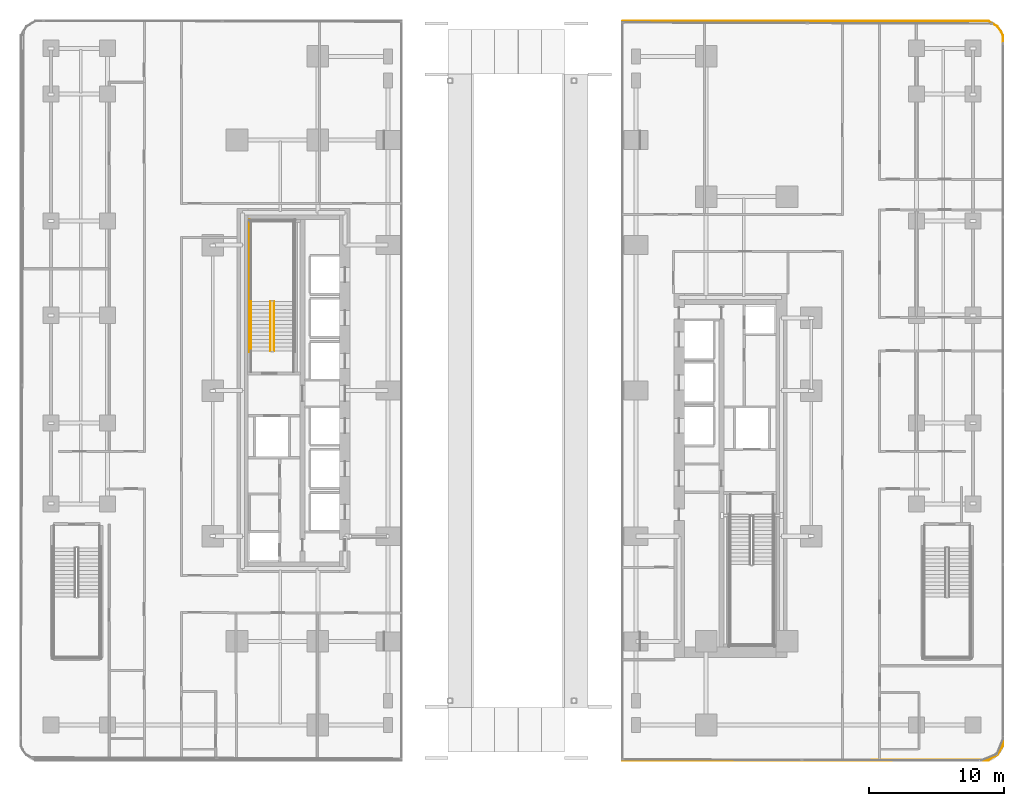
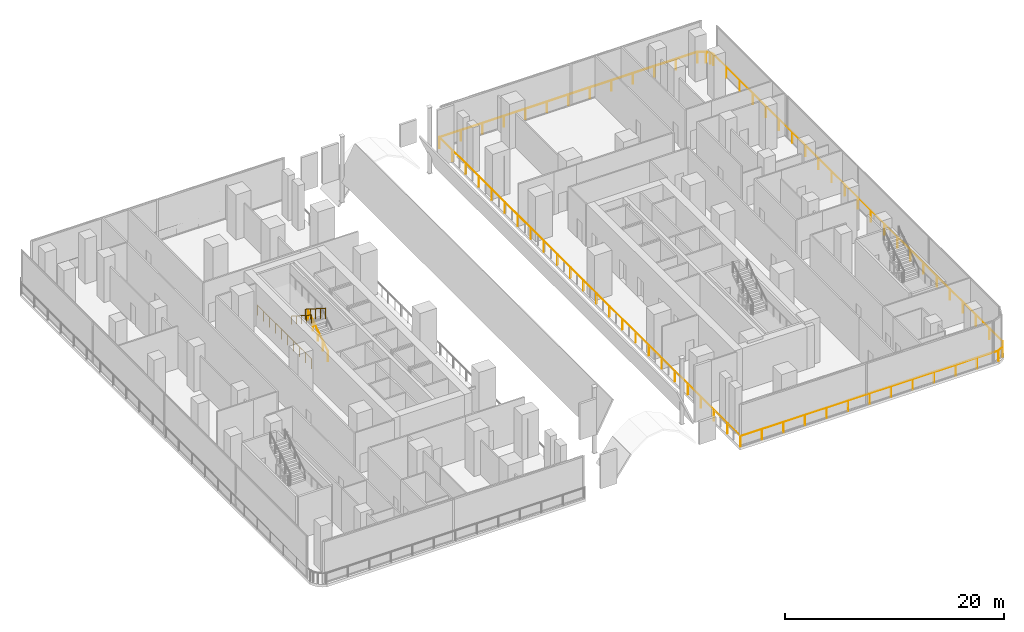
# One storey, part 28 of 31: 6 railings.
"""IFC4 building model written with IfcOpenShell, lengths in metres."""

from ifc_helpers import new_model, si_unit, direction, frame, origin, origin_2d, place, context, subcontext, project, spatial, circle, extrude, material, type_object, element, save


model = new_model("IFC4")

# Units and contexts
model_context = context("Model", 3, precision=1e-05, world=origin(), true_north=direction((0.0, 1.0)))
body_context = subcontext(model_context, "Body", "Model", "MODEL_VIEW")
ifc_project = project(units=[si_unit("LENGTHUNIT", "METRE"), si_unit("AREAUNIT", "SQUARE_METRE"), si_unit("VOLUMEUNIT", "CUBIC_METRE"), si_unit("PLANEANGLEUNIT", "RADIAN"), si_unit("MASSUNIT", "GRAM", prefix="KILO")], contexts=[model_context])

# Site, building, storey
site_placement = place(None, origin())
site = spatial("IfcSite", under=ifc_project, at=site_placement, CompositionType="ELEMENT")
building_placement = place(site_placement, origin())
building = spatial("IfcBuilding", under=site, at=building_placement, Name="Khairoan Windgate Tower", CompositionType="ELEMENT")
storey_placement = place(building_placement, frame((0.0, 0.0, 11.0)))
storey = spatial("IfcBuildingStorey", under=building, at=storey_placement, Name="L03", CompositionType="ELEMENT", Elevation=11.0)

# Railings
ifc_material_1 = material(Name="Anodised Bronze Aluminium 6063-T6", Category="aluminium")
railing_type_1 = type_object("IfcRailingType", Name="Aerodynamic Bronze-and-Glass Balustrade BAL-1200", PredefinedType="BALUSTRADE", material=ifc_material_1)
railing_1_placement = place(storey_placement, frame((36.406982421875, -26.36474609375, 0.0)))
element("IfcRailing", 1, at=railing_1_placement, inside=storey, type_object=railing_type_1, Name="L03 E Wing Perimeter Edge Guardrail (1)", PredefinedType="BALUSTRADE", context=body_context, shape_type="SweptSolid", body=[
    extrude(circle(Radius=0.02392578125, at=origin_2d()), frame((0.0, 0.0, 1.17578125), z_axis=(-0.515299177597, -0.857010360245, 0.0), x_axis=(0.857010360245, -0.515299177597, 0.0)), (0.0, 0.0, 1.0), 0.759521484375),
    extrude(circle(Radius=0.02392578125, at=origin_2d()), frame((-0.391357421875, -0.65087890625, 1.17578125), z_axis=(-0.856915629106, -0.515456695169, 0.0), x_axis=(0.515456695169, -0.856915629106, 0.0)), (0.0, 0.0, 1.0), 0.784423828125),
    extrude(circle(Radius=0.02392578125, at=origin_2d()), frame((-1.0634765625, -1.05517578125, 1.17578125), z_axis=(-1.0, 0.0, 0.0), x_axis=(0.0, -1.0, 0.0)), (0.0, 0.0, 1.0), 27.1435546875),
    extrude(circle(Radius=0.02392578125, at=origin_2d()), frame((-28.20703125, -1.05517578125, 1.17578125), z_axis=(0.0, 1.0, 0.0), x_axis=(-1.0, 0.0, 0.0)), (0.0, 0.0, 1.0), 54.81494140625),
    extrude(circle(Radius=0.02099609375, at=origin_2d()), origin(), (0.0, 0.0, 1.0), 1.15185546875),
    extrude(circle(Radius=0.02099609375, at=origin_2d()), frame((-0.391357421875, -0.65087890625, 0.0)), (0.0, 0.0, 1.0), 1.15185546875),
    extrude(circle(Radius=0.02099609375, at=origin_2d()), frame((-1.0634765625, -1.05517578125, 0.0)), (0.0, 0.0, 1.0), 1.15185546875),
    extrude(circle(Radius=0.02099609375, at=origin_2d()), frame((-3.325439453125, -1.05517578125, 0.0)), (0.0, 0.0, 1.0), 1.15185546875),
    extrude(circle(Radius=0.02099609375, at=origin_2d()), frame((-5.58740234375, -1.05517578125, 0.0)), (0.0, 0.0, 1.0), 1.15185546875),
    extrude(circle(Radius=0.02099609375, at=origin_2d()), frame((-7.849365234375, -1.05517578125, 0.0)), (0.0, 0.0, 1.0), 1.15185546875),
    extrude(circle(Radius=0.02099609375, at=origin_2d()), frame((-10.111328125, -1.05517578125, 0.0)), (0.0, 0.0, 1.0), 1.15185546875),
    extrude(circle(Radius=0.02099609375, at=origin_2d()), frame((-12.373291015625, -1.05517578125, 0.0)), (0.0, 0.0, 1.0), 1.15185546875),
    extrude(circle(Radius=0.02099609375, at=origin_2d()), frame((-14.63525390625, -1.05517578125, 0.0)), (0.0, 0.0, 1.0), 1.15185546875),
    extrude(circle(Radius=0.02099609375, at=origin_2d()), frame((-16.897216796875, -1.05517578125, 0.0)), (0.0, 0.0, 1.0), 1.15185546875),
    extrude(circle(Radius=0.02099609375, at=origin_2d()), frame((-19.1591796875, -1.05517578125, 0.0)), (0.0, 0.0, 1.0), 1.15185546875),
    extrude(circle(Radius=0.02099609375, at=origin_2d()), frame((-21.421142578125, -1.05517578125, 0.0)), (0.0, 0.0, 1.0), 1.15185546875),
    extrude(circle(Radius=0.02099609375, at=origin_2d()), frame((-23.68310546875, -1.05517578125, 0.0)), (0.0, 0.0, 1.0), 1.15185546875),
    extrude(circle(Radius=0.02099609375, at=origin_2d()), frame((-25.945068359375, -1.05517578125, 0.0)), (0.0, 0.0, 1.0), 1.15185546875),
    extrude(circle(Radius=0.02099609375, at=origin_2d()), frame((-28.20703125, -1.05517578125, 0.0)), (0.0, 0.0, 1.0), 1.15185546875),
    extrude(circle(Radius=0.02099609375, at=origin_2d()), frame((-28.20703125, 1.328125, 0.0)), (0.0, 0.0, 1.0), 1.15185546875),
    extrude(circle(Radius=0.02099609375, at=origin_2d()), frame((-28.20703125, 3.71142578125, 0.0)), (0.0, 0.0, 1.0), 1.15185546875),
    extrude(circle(Radius=0.02099609375, at=origin_2d()), frame((-28.20703125, 6.094482421875, 0.0)), (0.0, 0.0, 1.0), 1.15185546875),
    extrude(circle(Radius=0.02099609375, at=origin_2d()), frame((-28.20703125, 8.477783203125, 0.0)), (0.0, 0.0, 1.0), 1.15185546875),
    extrude(circle(Radius=0.02099609375, at=origin_2d()), frame((-28.20703125, 10.861083984375, 0.0)), (0.0, 0.0, 1.0), 1.15185546875),
    extrude(circle(Radius=0.02099609375, at=origin_2d()), frame((-28.20703125, 13.244384765625, 0.0)), (0.0, 0.0, 1.0), 1.15185546875),
    extrude(circle(Radius=0.02099609375, at=origin_2d()), frame((-28.20703125, 15.627685546875, 0.0)), (0.0, 0.0, 1.0), 1.15185546875),
    extrude(circle(Radius=0.02099609375, at=origin_2d()), frame((-28.20703125, 18.010986328125, 0.0)), (0.0, 0.0, 1.0), 1.15185546875),
    extrude(circle(Radius=0.02099609375, at=origin_2d()), frame((-28.20703125, 20.39404296875, 0.0)), (0.0, 0.0, 1.0), 1.15185546875),
    extrude(circle(Radius=0.02099609375, at=origin_2d()), frame((-28.20703125, 22.77734375, 0.0)), (0.0, 0.0, 1.0), 1.15185546875),
    extrude(circle(Radius=0.02099609375, at=origin_2d()), frame((-28.20703125, 25.16064453125, 0.0)), (0.0, 0.0, 1.0), 1.15185546875),
    extrude(circle(Radius=0.02099609375, at=origin_2d()), frame((-28.20703125, 27.5439453125, 0.0)), (0.0, 0.0, 1.0), 1.15185546875),
    extrude(circle(Radius=0.02099609375, at=origin_2d()), frame((-28.20703125, 29.92724609375, 0.0)), (0.0, 0.0, 1.0), 1.15185546875),
    extrude(circle(Radius=0.02099609375, at=origin_2d()), frame((-28.20703125, 32.310546875, 0.0)), (0.0, 0.0, 1.0), 1.15185546875),
    extrude(circle(Radius=0.02099609375, at=origin_2d()), frame((-28.20703125, 34.693603515625, 0.0)), (0.0, 0.0, 1.0), 1.15185546875),
    extrude(circle(Radius=0.02099609375, at=origin_2d()), frame((-28.20703125, 37.076904296875, 0.0)), (0.0, 0.0, 1.0), 1.15185546875),
    extrude(circle(Radius=0.02099609375, at=origin_2d()), frame((-28.20703125, 39.460205078125, 0.0)), (0.0, 0.0, 1.0), 1.15185546875),
    extrude(circle(Radius=0.02099609375, at=origin_2d()), frame((-28.20703125, 41.843505859375, 0.0)), (0.0, 0.0, 1.0), 1.15185546875),
    extrude(circle(Radius=0.02099609375, at=origin_2d()), frame((-28.20703125, 44.226806640625, 0.0)), (0.0, 0.0, 1.0), 1.15185546875),
    extrude(circle(Radius=0.02099609375, at=origin_2d()), frame((-28.20703125, 46.610107421875, 0.0)), (0.0, 0.0, 1.0), 1.15185546875),
    extrude(circle(Radius=0.02099609375, at=origin_2d()), frame((-28.20703125, 48.9931640625, 0.0)), (0.0, 0.0, 1.0), 1.15185546875),
    extrude(circle(Radius=0.02099609375, at=origin_2d()), frame((-28.20703125, 51.37646484375, 0.0)), (0.0, 0.0, 1.0), 1.15185546875),
    extrude(circle(Radius=0.02099609375, at=origin_2d()), frame((-28.20703125, 53.759765625, 0.0)), (0.0, 0.0, 1.0), 1.15185546875),
])
railing_2_placement = place(storey_placement, frame((8.22509765625, 27.419921875, 0.0)))
element("IfcRailing", 2, at=railing_2_placement, inside=storey, type_object=railing_type_1, Name="L03 E Wing Perimeter Edge Guardrail (2)", PredefinedType="BALUSTRADE", context=body_context, shape_type="SweptSolid", body=[
    extrude(circle(Radius=0.02392578125, at=origin_2d()), frame((0.0, 0.0, 1.17578125), z_axis=(1.0, 0.0, 0.0), x_axis=(0.0, 1.0, 0.0)), (0.0, 0.0, 1.0), 27.118408203125),
    extrude(circle(Radius=0.02392578125, at=origin_2d()), frame((27.118408203125, 0.0, 1.17578125), z_axis=(0.856915629106, -0.515456695169, 0.0), x_axis=(0.515456695169, 0.856915629106, 0.0)), (0.0, 0.0, 1.0), 0.784423828125),
    extrude(circle(Radius=0.02392578125, at=origin_2d()), frame((27.79052734375, -0.404296875, 1.17578125), z_axis=(0.608842674685, -0.793290991681, 0.0), x_axis=(0.793290991681, 0.608842674685, 0.0)), (0.0, 0.0, 1.0), 0.44873046875),
    extrude(circle(Radius=0.02392578125, at=origin_2d()), frame((28.063720703125, -0.76025390625, 1.17578125), z_axis=(0.383044713365, -0.923729802249, 0.0), x_axis=(0.923729802249, 0.383044713365, 0.0)), (0.0, 0.0, 1.0), 0.34228515625),
    extrude(circle(Radius=0.02392578125, at=origin_2d()), frame((28.19482421875, -1.076416015625, 1.17578125), z_axis=(0.0, -1.0, 0.0), x_axis=(1.0, 0.0, 0.0)), (0.0, 0.0, 1.0), 52.661865234375),
    extrude(circle(Radius=0.02099609375, at=origin_2d()), origin(), (0.0, 0.0, 1.0), 1.15185546875),
    extrude(circle(Radius=0.02099609375, at=origin_2d()), frame((2.259765625, 0.0, 0.0)), (0.0, 0.0, 1.0), 1.15185546875),
    extrude(circle(Radius=0.02099609375, at=origin_2d()), frame((4.519775390625, 0.0, 0.0)), (0.0, 0.0, 1.0), 1.15185546875),
    extrude(circle(Radius=0.02099609375, at=origin_2d()), frame((6.779541015625, 0.0, 0.0)), (0.0, 0.0, 1.0), 1.15185546875),
    extrude(circle(Radius=0.02099609375, at=origin_2d()), frame((9.03955078125, 0.0, 0.0)), (0.0, 0.0, 1.0), 1.15185546875),
    extrude(circle(Radius=0.02099609375, at=origin_2d()), frame((11.29931640625, 0.0, 0.0)), (0.0, 0.0, 1.0), 1.15185546875),
    extrude(circle(Radius=0.02099609375, at=origin_2d()), frame((13.55908203125, 0.0, 0.0)), (0.0, 0.0, 1.0), 1.15185546875),
    extrude(circle(Radius=0.02099609375, at=origin_2d()), frame((15.819091796875, 0.0, 0.0)), (0.0, 0.0, 1.0), 1.15185546875),
    extrude(circle(Radius=0.02099609375, at=origin_2d()), frame((18.078857421875, 0.0, 0.0)), (0.0, 0.0, 1.0), 1.15185546875),
    extrude(circle(Radius=0.02099609375, at=origin_2d()), frame((20.3388671875, 0.0, 0.0)), (0.0, 0.0, 1.0), 1.15185546875),
    extrude(circle(Radius=0.02099609375, at=origin_2d()), frame((22.5986328125, 0.0, 0.0)), (0.0, 0.0, 1.0), 1.15185546875),
    extrude(circle(Radius=0.02099609375, at=origin_2d()), frame((24.858642578125, 0.0, 0.0)), (0.0, 0.0, 1.0), 1.15185546875),
    extrude(circle(Radius=0.02099609375, at=origin_2d()), frame((27.118408203125, 0.0, 0.0)), (0.0, 0.0, 1.0), 1.15185546875),
    extrude(circle(Radius=0.02099609375, at=origin_2d()), frame((27.79052734375, -0.404296875, 0.0)), (0.0, 0.0, 1.0), 1.15185546875),
    extrude(circle(Radius=0.02099609375, at=origin_2d()), frame((28.063720703125, -0.76025390625, 0.0)), (0.0, 0.0, 1.0), 1.15185546875),
    extrude(circle(Radius=0.02099609375, at=origin_2d()), frame((28.19482421875, -1.076416015625, 0.0)), (0.0, 0.0, 1.0), 1.15185546875),
    extrude(circle(Radius=0.02099609375, at=origin_2d()), frame((28.19482421875, -3.47021484375, 0.0)), (0.0, 0.0, 1.0), 1.15185546875),
    extrude(circle(Radius=0.02099609375, at=origin_2d()), frame((28.19482421875, -5.86376953125, 0.0)), (0.0, 0.0, 1.0), 1.15185546875),
    extrude(circle(Radius=0.02099609375, at=origin_2d()), frame((28.19482421875, -8.257568359375, 0.0)), (0.0, 0.0, 1.0), 1.15185546875),
    extrude(circle(Radius=0.02099609375, at=origin_2d()), frame((28.19482421875, -10.6513671875, 0.0)), (0.0, 0.0, 1.0), 1.15185546875),
    extrude(circle(Radius=0.02099609375, at=origin_2d()), frame((28.19482421875, -13.044921875, 0.0)), (0.0, 0.0, 1.0), 1.15185546875),
    extrude(circle(Radius=0.02099609375, at=origin_2d()), frame((28.19482421875, -15.438720703125, 0.0)), (0.0, 0.0, 1.0), 1.15185546875),
    extrude(circle(Radius=0.02099609375, at=origin_2d()), frame((28.19482421875, -17.83251953125, 0.0)), (0.0, 0.0, 1.0), 1.15185546875),
    extrude(circle(Radius=0.02099609375, at=origin_2d()), frame((28.19482421875, -20.22607421875, 0.0)), (0.0, 0.0, 1.0), 1.15185546875),
    extrude(circle(Radius=0.02099609375, at=origin_2d()), frame((28.19482421875, -22.619873046875, 0.0)), (0.0, 0.0, 1.0), 1.15185546875),
    extrude(circle(Radius=0.02099609375, at=origin_2d()), frame((28.19482421875, -25.013671875, 0.0)), (0.0, 0.0, 1.0), 1.15185546875),
    extrude(circle(Radius=0.02099609375, at=origin_2d()), frame((28.19482421875, -27.4072265625, 0.0)), (0.0, 0.0, 1.0), 1.15185546875),
    extrude(circle(Radius=0.02099609375, at=origin_2d()), frame((28.19482421875, -29.801025390625, 0.0)), (0.0, 0.0, 1.0), 1.15185546875),
    extrude(circle(Radius=0.02099609375, at=origin_2d()), frame((28.19482421875, -32.19482421875, 0.0)), (0.0, 0.0, 1.0), 1.15185546875),
    extrude(circle(Radius=0.02099609375, at=origin_2d()), frame((28.19482421875, -34.588623046875, 0.0)), (0.0, 0.0, 1.0), 1.15185546875),
    extrude(circle(Radius=0.02099609375, at=origin_2d()), frame((28.19482421875, -36.982177734375, 0.0)), (0.0, 0.0, 1.0), 1.15185546875),
    extrude(circle(Radius=0.02099609375, at=origin_2d()), frame((28.19482421875, -39.3759765625, 0.0)), (0.0, 0.0, 1.0), 1.15185546875),
    extrude(circle(Radius=0.02099609375, at=origin_2d()), frame((28.19482421875, -41.769775390625, 0.0)), (0.0, 0.0, 1.0), 1.15185546875),
    extrude(circle(Radius=0.02099609375, at=origin_2d()), frame((28.19482421875, -44.163330078125, 0.0)), (0.0, 0.0, 1.0), 1.15185546875),
    extrude(circle(Radius=0.02099609375, at=origin_2d()), frame((28.19482421875, -46.55712890625, 0.0)), (0.0, 0.0, 1.0), 1.15185546875),
    extrude(circle(Radius=0.02099609375, at=origin_2d()), frame((28.19482421875, -48.950927734375, 0.0)), (0.0, 0.0, 1.0), 1.15185546875),
    extrude(circle(Radius=0.02099609375, at=origin_2d()), frame((28.19482421875, -51.344482421875, 0.0)), (0.0, 0.0, 1.0), 1.15185546875),
    extrude(circle(Radius=0.02099609375, at=origin_2d()), frame((28.19482421875, -53.73828125, 0.0)), (0.0, 0.0, 1.0), 1.15185546875),
])
ifc_material_2 = material(Name="Anodised Bronze Aluminium 6063-T6", Category="aluminium")
railing_type_2 = type_object("IfcRailingType", Name="Stair Wall Handrail SHR-900", PredefinedType="HANDRAIL", material=ifc_material_2)
railing_3_placement = place(storey_placement, frame((-19.3701171875, 6.60009765625, 2.678466796875)))
element("IfcRailing", 3, at=railing_3_placement, inside=storey, type_object=railing_type_2, Name="L03 ST2 stair handrail 2", PredefinedType="HANDRAIL", context=body_context, shape_type="SweptSolid", body=[
    extrude(circle(Radius=0.02392578125, at=origin_2d()), frame((0.0, 0.0, 0.8759765625), z_axis=(0.0, -0.843127859045, 0.537713132908), x_axis=(1.0, 0.0, 0.0)), (0.0, 0.0, 1.0), 4.3173828125),
    extrude(circle(Radius=0.02099609375, at=origin_2d()), origin(), (0.0, 0.0, 1.0), 0.851806640625),
    extrude(circle(Radius=0.02099609375, at=origin_2d()), frame((0.0, -0.91015625, 0.580322265625)), (0.0, 0.0, 1.0), 0.851806640625),
    extrude(circle(Radius=0.02099609375, at=origin_2d()), frame((0.0, -1.820068359375, 1.16064453125)), (0.0, 0.0, 1.0), 0.851806640625),
    extrude(circle(Radius=0.02099609375, at=origin_2d()), frame((0.0, -2.72998046875, 1.7412109375)), (0.0, 0.0, 1.0), 0.851806640625),
    extrude(circle(Radius=0.02099609375, at=origin_2d()), frame((0.0, -3.64013671875, 2.321533203125)), (0.0, 0.0, 1.0), 0.851806640625),
])
ifc_material_3 = material(Name="Steel S355", Category="steel")
railing_type_3 = type_object("IfcRailingType", Name="Stairwell Safety Guardrail SGR-1150", PredefinedType="GUARDRAIL", material=ifc_material_3)
railing_4_placement = place(storey_placement, frame((-17.659912109375, 2.9599609375, 0.178466796875)))
element("IfcRailing", 4, at=railing_4_placement, inside=storey, type_object=railing_type_3, Name="L03 ST2 stair guard 1", PredefinedType="GUARDRAIL", context=body_context, shape_type="SweptSolid", body=[
    extrude(circle(Radius=0.02392578125, at=origin_2d()), frame((0.0, 0.0, 1.1259765625), z_axis=(0.0, 0.843127859045, 0.537713132908), x_axis=(-1.0, 0.0, 0.0)), (0.0, 0.0, 1.0), 4.3173828125),
    extrude(circle(Radius=0.02099609375, at=origin_2d()), origin(), (0.0, 0.0, 1.0), 1.101806640625),
    extrude(circle(Radius=0.02099609375, at=origin_2d()), frame((0.0, 0.91015625, 0.580322265625)), (0.0, 0.0, 1.0), 1.101806640625),
    extrude(circle(Radius=0.02099609375, at=origin_2d()), frame((0.0, 1.820068359375, 1.16064453125)), (0.0, 0.0, 1.0), 1.101806640625),
    extrude(circle(Radius=0.02099609375, at=origin_2d()), frame((0.0, 2.72998046875, 1.7412109375)), (0.0, 0.0, 1.0), 1.101806640625),
    extrude(circle(Radius=0.02099609375, at=origin_2d()), frame((0.0, 3.64013671875, 2.321533203125)), (0.0, 0.0, 1.0), 1.101806640625),
])
railing_5_placement = place(storey_placement, frame((-17.909912109375, 6.60009765625, 2.678466796875)))
element("IfcRailing", 5, at=railing_5_placement, inside=storey, type_object=railing_type_3, Name="L03 ST2 stair guard 6", PredefinedType="GUARDRAIL", context=body_context, shape_type="SweptSolid", body=[
    extrude(circle(Radius=0.02392578125, at=origin_2d()), frame((0.0, 0.0, 1.1259765625), z_axis=(0.0, -0.843127859045, 0.537713132908), x_axis=(1.0, 0.0, 0.0)), (0.0, 0.0, 1.0), 4.3173828125),
    extrude(circle(Radius=0.02099609375, at=origin_2d()), origin(), (0.0, 0.0, 1.0), 1.101806640625),
    extrude(circle(Radius=0.02099609375, at=origin_2d()), frame((0.0, -0.91015625, 0.580322265625)), (0.0, 0.0, 1.0), 1.101806640625),
    extrude(circle(Radius=0.02099609375, at=origin_2d()), frame((0.0, -1.820068359375, 1.16064453125)), (0.0, 0.0, 1.0), 1.101806640625),
    extrude(circle(Radius=0.02099609375, at=origin_2d()), frame((0.0, -2.72998046875, 1.7412109375)), (0.0, 0.0, 1.0), 1.101806640625),
    extrude(circle(Radius=0.02099609375, at=origin_2d()), frame((0.0, -3.64013671875, 2.321533203125)), (0.0, 0.0, 1.0), 1.101806640625),
])
railing_6_placement = place(storey_placement, frame((-19.469970703125, 2.860107421875, 0.0)))
element("IfcRailing", 6, at=railing_6_placement, inside=storey, type_object=railing_type_3, Name="L03 ST2 stair guard 11", PredefinedType="GUARDRAIL", context=body_context, shape_type="SweptSolid", body=[
    extrude(circle(Radius=0.02392578125, at=origin_2d()), frame((0.0, 0.0, 1.1259765625), z_axis=(0.0, 1.0, 0.0), x_axis=(-1.0, 0.0, 0.0)), (0.0, 0.0, 1.0), 9.83984375),
    extrude(circle(Radius=0.02099609375, at=origin_2d()), origin(), (0.0, 0.0, 1.0), 1.101806640625),
    extrude(circle(Radius=0.02099609375, at=origin_2d()), frame((0.0, 1.09326171875, 0.0)), (0.0, 0.0, 1.0), 1.101806640625),
    extrude(circle(Radius=0.02099609375, at=origin_2d()), frame((0.0, 2.1865234375, 0.0)), (0.0, 0.0, 1.0), 1.101806640625),
    extrude(circle(Radius=0.02099609375, at=origin_2d()), frame((0.0, 3.280029296875, 0.0)), (0.0, 0.0, 1.0), 1.101806640625),
    extrude(circle(Radius=0.02099609375, at=origin_2d()), frame((0.0, 4.373291015625, 0.0)), (0.0, 0.0, 1.0), 1.101806640625),
    extrude(circle(Radius=0.02099609375, at=origin_2d()), frame((0.0, 5.466552734375, 0.0)), (0.0, 0.0, 1.0), 1.101806640625),
    extrude(circle(Radius=0.02099609375, at=origin_2d()), frame((0.0, 6.559814453125, 0.0)), (0.0, 0.0, 1.0), 1.101806640625),
    extrude(circle(Radius=0.02099609375, at=origin_2d()), frame((0.0, 7.6533203125, 0.0)), (0.0, 0.0, 1.0), 1.101806640625),
    extrude(circle(Radius=0.02099609375, at=origin_2d()), frame((0.0, 8.74658203125, 0.0)), (0.0, 0.0, 1.0), 1.101806640625),
    extrude(circle(Radius=0.02099609375, at=origin_2d()), frame((0.0, 9.83984375, 0.0)), (0.0, 0.0, 1.0), 1.101806640625),
])

save(model, "model.ifc")
